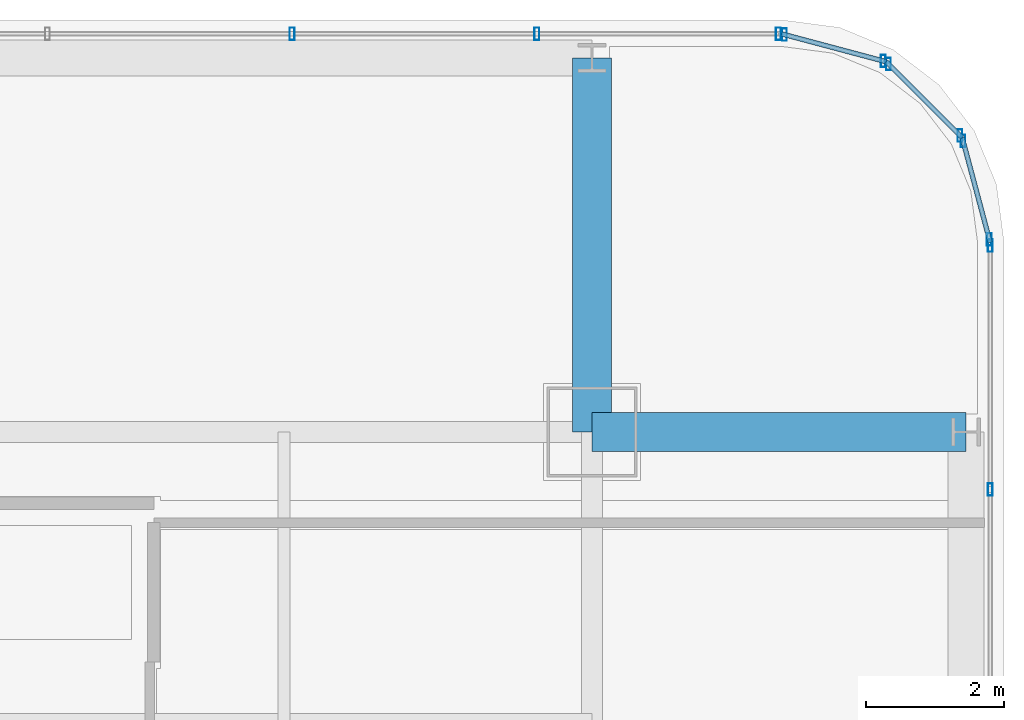
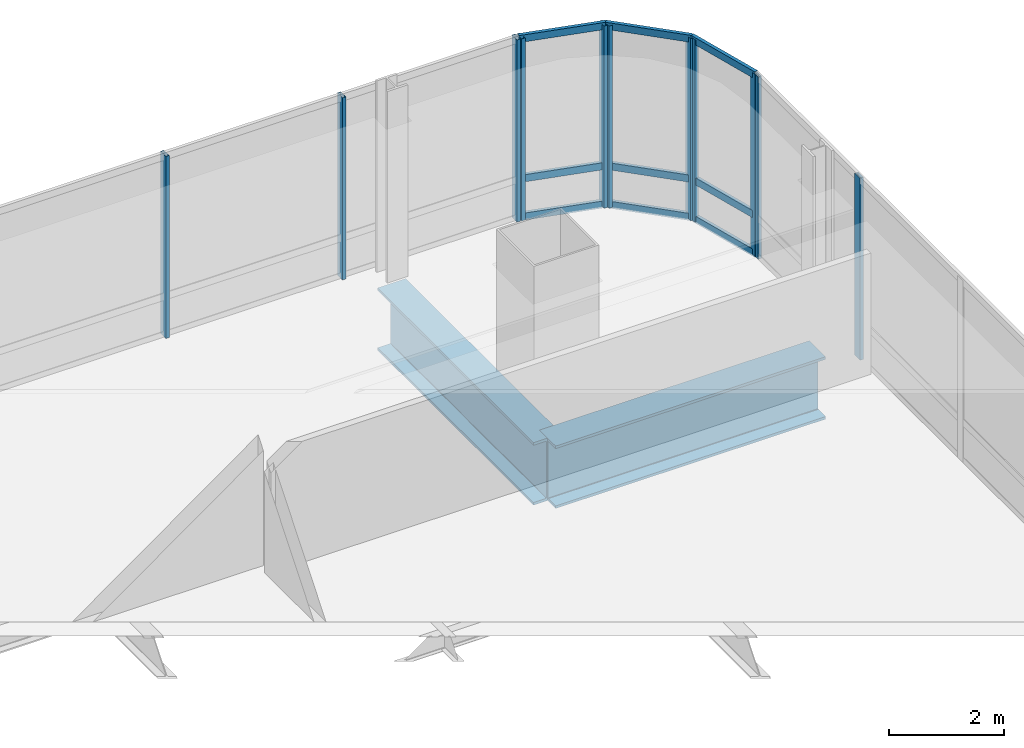
# One storey, part 30 of 42: 20 members, 2 beams, 5 elements without a shape of their own.
"""IFC4 building model written with IfcOpenShell, lengths in metres."""

from ifc_helpers import new_model, si_unit, direction, frame, origin, origin_2d, place, context, subcontext, project, spatial, hollow_rectangle, i_section, extrude, material, material_profile, profile_set, type_object, element, aggregate, save


model = new_model("IFC4")

# Units and contexts
model_context = context("Model", 3, precision=1e-05, world=origin(), true_north=direction((0.0, 1.0)))
body_context = subcontext(model_context, "Body", "Model", "MODEL_VIEW")
ifc_project = project(units=[si_unit("LENGTHUNIT", "METRE"), si_unit("AREAUNIT", "SQUARE_METRE"), si_unit("VOLUMEUNIT", "CUBIC_METRE"), si_unit("PLANEANGLEUNIT", "RADIAN"), si_unit("MASSUNIT", "GRAM", prefix="KILO")], contexts=[model_context])

# Site, building, storey
site_placement = place(None, origin())
site = spatial("IfcSite", under=ifc_project, at=site_placement, CompositionType="ELEMENT")
building_placement = place(site_placement, origin())
building = spatial("IfcBuilding", under=site, at=building_placement, Name="Punatoya Terracotta Tower", CompositionType="ELEMENT")
storey_placement = place(building_placement, frame((0.0, 0.0, 259.5)))
storey = spatial("IfcBuildingStorey", under=building, at=storey_placement, Name="L61", CompositionType="ELEMENT", Elevation=259.5)

# Beams
ifc_material_1 = material(Name="Steel S460", Category="steel")
ifc_material_profile_1 = material_profile(ifc_material_1, i_section(OverallWidth=0.56005859375, OverallDepth=1.320068359375, WebThickness=0.035888671875, FlangeThickness=0.054931640625, FilletRadius=0.01806640625, at=origin_2d()))
ifc_profile_set_1 = profile_set([ifc_material_profile_1], Name="Steel S460")
beam_type = type_object("IfcBeamType", Name="BM-TG-BLK", PredefinedType="BEAM", material=ifc_profile_set_1)
for number, where, z_axis, x_axis, name in (
    (1, (19.10009765625, 17.5, -0.860107421875), (1.0, 0.0, 0.0), (0.0, 1.0, 0.0), "BM-L61-CANT-E4"),
    (2, (19.10009765625, 17.5, -0.860107421875), (0.0, 1.0, 0.0), (-1.0, 0.0, 0.0), "BM-L61-CANT-N4"),
):
    element("IfcBeam", number, at=place(storey_placement, frame(where, z_axis=z_axis, x_axis=x_axis)), inside=storey, type_object=beam_type, Name=name, PredefinedType="BEAM", context=body_context, shape_type="SweptSolid", body=[
        extrude(i_section(OverallWidth=0.56005859375, OverallDepth=1.320068359375, WebThickness=0.035888671875, FlangeThickness=0.054931640625, FilletRadius=0.01806640625, at=origin_2d()), origin(), (0.0, 0.0, 1.0), 5.39990234375),
    ])

# Curtain wall, members
ifc_material_2 = material(Name="Aluminium 6063-T6 + Double Low-E Glass", Category="aluminium")
curtain_wall_type = type_object("IfcCurtainWallType", Name="CW-M3", PredefinedType="NOTDEFINED", material=ifc_material_2)
curtain_wall_1_placement = place(storey_placement, origin())
curtain_wall_1 = element("IfcCurtainWall", 3, at=curtain_wall_1_placement, inside=storey, type_object=curtain_wall_type, Name="L61 Curtain Wall CW-L61-E05-1", PredefinedType="NOTDEFINED")
ifc_material_3 = material(Name="Aluminium 6063-T6", Category="aluminium")
ifc_material_profile_2 = material_profile(ifc_material_3, hollow_rectangle(XDim=0.070068359375, YDim=0.179931640625, WallThickness=0.00390625, at=origin_2d()))
ifc_profile_set_2 = profile_set([ifc_material_profile_2], Name="Aluminium 6063-T6")
member_type_1 = type_object("IfcMemberType", Name="CW-MUL-M3", PredefinedType="MULLION", material=ifc_profile_set_2)
member_1_placement = place(storey_placement, frame((24.85009765625, 16.66943359375, 0.0), z_axis=(0.0, 0.0, 1.0), x_axis=(1.0, 0.0, 0.0)))
member_1 = element("IfcMember", 4, at=member_1_placement, type_object=member_type_1, Name="CW-L61-E05-1 Mullion 09", PredefinedType="MULLION", context=body_context, shape_type="SweptSolid", body=[
    extrude(hollow_rectangle(XDim=0.070068359375, YDim=0.179931640625, WallThickness=0.00390625, at=origin_2d()), origin(), (0.0, 0.0, 1.0), 3.85009765625),
])
member_2_placement = place(storey_placement, frame((24.85009765625, 20.19189453125, 0.0), z_axis=(0.0, 0.0, 1.0), x_axis=(1.0, 0.0, 0.0)))
member_2 = element("IfcMember", 5, at=member_2_placement, type_object=member_type_1, Name="CW-L61-E05-1 Mullion 10", PredefinedType="MULLION", context=body_context, shape_type="SweptSolid", body=[
    extrude(hollow_rectangle(XDim=0.070068359375, YDim=0.179931640625, WallThickness=0.00390625, at=origin_2d()), origin(), (0.0, 0.0, 1.0), 3.85009765625),
])
aggregate(curtain_wall_1, [member_1, member_2])

curtain_wall_2_placement = place(storey_placement, origin())
curtain_wall_2 = element("IfcCurtainWall", 6, at=curtain_wall_2_placement, inside=storey, type_object=curtain_wall_type, Name="L61 Curtain Wall CW-L61-CRN06", PredefinedType="NOTDEFINED")
member_3_placement = place(storey_placement, frame((24.83837890625, 20.280517578125, 0.0), z_axis=(0.0, 0.0, 1.0), x_axis=(1.0, 0.0, 0.0)))
member_3 = element("IfcMember", 7, at=member_3_placement, type_object=member_type_1, Name="CW-L61-CRN06 Mullion 00", PredefinedType="MULLION", context=body_context, shape_type="SweptSolid", body=[
    extrude(hollow_rectangle(XDim=0.070068359375, YDim=0.179931640625, WallThickness=0.00390625, at=origin_2d()), origin(), (0.0, 0.0, 1.0), 3.85009765625),
])
member_4_placement = place(storey_placement, frame((24.458251953125, 21.70556640625, 0.0), z_axis=(0.0, 0.0, 1.0), x_axis=(1.0, 0.0, 0.0)))
member_4 = element("IfcMember", 8, at=member_4_placement, type_object=member_type_1, Name="CW-L61-CRN06 Mullion 01", PredefinedType="MULLION", context=body_context, shape_type="SweptSolid", body=[
    extrude(hollow_rectangle(XDim=0.070068359375, YDim=0.179931640625, WallThickness=0.00390625, at=origin_2d()), origin(), (0.0, 0.0, 1.0), 3.85009765625),
])

curtain_wall_3_placement = place(storey_placement, origin())
curtain_wall_3 = element("IfcCurtainWall", 9, at=curtain_wall_3_placement, inside=storey, type_object=curtain_wall_type, Name="L61 Curtain Wall CW-L61-CRN07", PredefinedType="NOTDEFINED")
member_5_placement = place(storey_placement, frame((24.414794921875, 21.781005859375, 0.0), z_axis=(0.0, 0.0, 1.0), x_axis=(1.0, 0.0, 0.0)))
member_5 = element("IfcMember", 10, at=member_5_placement, type_object=member_type_1, Name="CW-L61-CRN07 Mullion 00", PredefinedType="MULLION", context=body_context, shape_type="SweptSolid", body=[
    extrude(hollow_rectangle(XDim=0.070068359375, YDim=0.179931640625, WallThickness=0.00390625, at=origin_2d()), origin(), (0.0, 0.0, 1.0), 3.85009765625),
])
member_6_placement = place(storey_placement, frame((23.380859375, 22.814697265625, 0.0), z_axis=(0.0, 0.0, 1.0), x_axis=(1.0, 0.0, 0.0)))
member_6 = element("IfcMember", 11, at=member_6_placement, type_object=member_type_1, Name="CW-L61-CRN07 Mullion 01", PredefinedType="MULLION", context=body_context, shape_type="SweptSolid", body=[
    extrude(hollow_rectangle(XDim=0.070068359375, YDim=0.179931640625, WallThickness=0.00390625, at=origin_2d()), origin(), (0.0, 0.0, 1.0), 3.85009765625),
])

curtain_wall_4_placement = place(storey_placement, origin())
curtain_wall_4 = element("IfcCurtainWall", 12, at=curtain_wall_4_placement, inside=storey, type_object=curtain_wall_type, Name="L61 Curtain Wall CW-L61-CRN08", PredefinedType="NOTDEFINED")
member_7_placement = place(storey_placement, frame((23.3056640625, 22.858154296875, 0.0), z_axis=(0.0, 0.0, 1.0), x_axis=(1.0, 0.0, 0.0)))
member_7 = element("IfcMember", 13, at=member_7_placement, type_object=member_type_1, Name="CW-L61-CRN08 Mullion 00", PredefinedType="MULLION", context=body_context, shape_type="SweptSolid", body=[
    extrude(hollow_rectangle(XDim=0.070068359375, YDim=0.179931640625, WallThickness=0.00390625, at=origin_2d()), origin(), (0.0, 0.0, 1.0), 3.85009765625),
])
member_8_placement = place(storey_placement, frame((21.88037109375, 23.23828125, 0.0), z_axis=(0.0, 0.0, 1.0), x_axis=(1.0, 0.0, 0.0)))
member_8 = element("IfcMember", 14, at=member_8_placement, type_object=member_type_1, Name="CW-L61-CRN08 Mullion 01", PredefinedType="MULLION", context=body_context, shape_type="SweptSolid", body=[
    extrude(hollow_rectangle(XDim=0.070068359375, YDim=0.179931640625, WallThickness=0.00390625, at=origin_2d()), origin(), (0.0, 0.0, 1.0), 3.85009765625),
])

curtain_wall_5_placement = place(storey_placement, origin())
curtain_wall_5 = element("IfcCurtainWall", 15, at=curtain_wall_5_placement, inside=storey, type_object=curtain_wall_type, Name="L61 Curtain Wall CW-L61-N09-1", PredefinedType="NOTDEFINED")
member_9_placement = place(storey_placement, frame((21.7919921875, 23.25, 0.0), z_axis=(0.0, 0.0, 1.0), x_axis=(1.0, 0.0, 0.0)))
member_9 = element("IfcMember", 16, at=member_9_placement, type_object=member_type_1, Name="CW-L61-N09-1 Mullion 00", PredefinedType="MULLION", context=body_context, shape_type="SweptSolid", body=[
    extrude(hollow_rectangle(XDim=0.070068359375, YDim=0.179931640625, WallThickness=0.00390625, at=origin_2d()), origin(), (0.0, 0.0, 1.0), 3.85009765625),
])
member_10_placement = place(storey_placement, frame((18.302978515625, 23.25, 0.0), z_axis=(0.0, 0.0, 1.0), x_axis=(1.0, 0.0, 0.0)))
member_10 = element("IfcMember", 17, at=member_10_placement, type_object=member_type_1, Name="CW-L61-N09-1 Mullion 01", PredefinedType="MULLION", context=body_context, shape_type="SweptSolid", body=[
    extrude(hollow_rectangle(XDim=0.070068359375, YDim=0.179931640625, WallThickness=0.00390625, at=origin_2d()), origin(), (0.0, 0.0, 1.0), 3.85009765625),
])
member_11_placement = place(storey_placement, frame((14.768798828125, 23.25, 0.0), z_axis=(0.0, 0.0, 1.0), x_axis=(1.0, 0.0, 0.0)))
member_11 = element("IfcMember", 18, at=member_11_placement, type_object=member_type_1, Name="CW-L61-N09-1 Mullion 02", PredefinedType="MULLION", context=body_context, shape_type="SweptSolid", body=[
    extrude(hollow_rectangle(XDim=0.070068359375, YDim=0.179931640625, WallThickness=0.00390625, at=origin_2d()), origin(), (0.0, 0.0, 1.0), 3.85009765625),
])
aggregate(curtain_wall_5, [member_9, member_10, member_11])

# Member
ifc_material_profile_3 = material_profile(ifc_material_3, hollow_rectangle(XDim=0.068115234375, YDim=0.14990234375, WallThickness=0.00390625, at=origin_2d()))
ifc_profile_set_3 = profile_set([ifc_material_profile_3], Name="Aluminium 6063-T6")
member_type_2 = type_object("IfcMemberType", Name="CW-TRN-TYP", PredefinedType="USERDEFINED", material=ifc_profile_set_3)
member_12_placement = place(storey_placement, frame((24.85009765625, 20.23681640625, 0.0400390625), z_axis=(-0.257847112249, 0.966185730957, 0.0), x_axis=(-0.966185730957, -0.257847112249, 0.0)))
member_12 = element("IfcMember", 19, at=member_12_placement, type_object=member_type_2, Name="CW-L61-CRN06 Transom 1", ObjectType="TRANSOM", PredefinedType="USERDEFINED", context=body_context, shape_type="SweptSolid", body=[
    extrude(hollow_rectangle(XDim=0.068115234375, YDim=0.14990234375, WallThickness=0.00390625, at=origin_2d()), origin(), (0.0, 0.0, 1.0), 1.565185546875),
])

member_13_placement = place(storey_placement, frame((24.85009765625, 20.23681640625, 0.85009765625), z_axis=(-0.257847112249, 0.966185730957, 0.0), x_axis=(-0.966185730957, -0.257847112249, 0.0)))
member_13 = element("IfcMember", 20, at=member_13_placement, type_object=member_type_2, Name="CW-L61-CRN06 Transom 2", ObjectType="TRANSOM", PredefinedType="USERDEFINED", context=body_context, shape_type="SweptSolid", body=[
    extrude(hollow_rectangle(XDim=0.068115234375, YDim=0.14990234375, WallThickness=0.00390625, at=origin_2d()), origin(), (0.0, 0.0, 1.0), 1.565185546875),
])

member_14_placement = place(storey_placement, frame((24.85009765625, 20.23681640625, 3.81005859375), z_axis=(-0.257847112249, 0.966185730957, 0.0), x_axis=(-0.966185730957, -0.257847112249, 0.0)))
member_14 = element("IfcMember", 21, at=member_14_placement, type_object=member_type_2, Name="CW-L61-CRN06 Transom 3", ObjectType="TRANSOM", PredefinedType="USERDEFINED", context=body_context, shape_type="SweptSolid", body=[
    extrude(hollow_rectangle(XDim=0.068115234375, YDim=0.14990234375, WallThickness=0.00390625, at=origin_2d()), origin(), (0.0, 0.0, 1.0), 1.565185546875),
])

aggregate(curtain_wall_2, [member_3, member_4, member_12, member_13, member_14])

member_15_placement = place(storey_placement, frame((24.446533203125, 21.7490234375, 0.0400390625), z_axis=(-0.707028130747, 0.707185422879, 0.0), x_axis=(-0.707185422879, -0.707028130747, 0.0)))
member_15 = element("IfcMember", 22, at=member_15_placement, type_object=member_type_2, Name="CW-L61-CRN07 Transom 1", ObjectType="TRANSOM", PredefinedType="USERDEFINED", context=body_context, shape_type="SweptSolid", body=[
    extrude(hollow_rectangle(XDim=0.068115234375, YDim=0.14990234375, WallThickness=0.00390625, at=origin_2d()), origin(), (0.0, 0.0, 1.0), 1.55224609375),
])

member_16_placement = place(storey_placement, frame((24.446533203125, 21.7490234375, 0.85009765625), z_axis=(-0.707028130747, 0.707185422879, 0.0), x_axis=(-0.707185422879, -0.707028130747, 0.0)))
member_16 = element("IfcMember", 23, at=member_16_placement, type_object=member_type_2, Name="CW-L61-CRN07 Transom 2", ObjectType="TRANSOM", PredefinedType="USERDEFINED", context=body_context, shape_type="SweptSolid", body=[
    extrude(hollow_rectangle(XDim=0.068115234375, YDim=0.14990234375, WallThickness=0.00390625, at=origin_2d()), origin(), (0.0, 0.0, 1.0), 1.55224609375),
])

member_17_placement = place(storey_placement, frame((24.446533203125, 21.7490234375, 3.81005859375), z_axis=(-0.707028130747, 0.707185422879, 0.0), x_axis=(-0.707185422879, -0.707028130747, 0.0)))
member_17 = element("IfcMember", 24, at=member_17_placement, type_object=member_type_2, Name="CW-L61-CRN07 Transom 3", ObjectType="TRANSOM", PredefinedType="USERDEFINED", context=body_context, shape_type="SweptSolid", body=[
    extrude(hollow_rectangle(XDim=0.068115234375, YDim=0.14990234375, WallThickness=0.00390625, at=origin_2d()), origin(), (0.0, 0.0, 1.0), 1.55224609375),
])

aggregate(curtain_wall_3, [member_5, member_6, member_15, member_16, member_17])

member_18_placement = place(storey_placement, frame((23.34912109375, 22.8466796875, 0.0400390625), z_axis=(-0.966224582397, 0.257701486942, 0.0), x_axis=(-0.257701486942, -0.966224582397, 0.0)))
member_18 = element("IfcMember", 25, at=member_18_placement, type_object=member_type_2, Name="CW-L61-CRN08 Transom 1", ObjectType="TRANSOM", PredefinedType="USERDEFINED", context=body_context, shape_type="SweptSolid", body=[
    extrude(hollow_rectangle(XDim=0.068115234375, YDim=0.14990234375, WallThickness=0.00390625, at=origin_2d()), origin(), (0.0, 0.0, 1.0), 1.565185546875),
])

member_19_placement = place(storey_placement, frame((23.34912109375, 22.8466796875, 0.85009765625), z_axis=(-0.966224582397, 0.257701486942, 0.0), x_axis=(-0.257701486942, -0.966224582397, 0.0)))
member_19 = element("IfcMember", 26, at=member_19_placement, type_object=member_type_2, Name="CW-L61-CRN08 Transom 2", ObjectType="TRANSOM", PredefinedType="USERDEFINED", context=body_context, shape_type="SweptSolid", body=[
    extrude(hollow_rectangle(XDim=0.068115234375, YDim=0.14990234375, WallThickness=0.00390625, at=origin_2d()), origin(), (0.0, 0.0, 1.0), 1.565185546875),
])

member_20_placement = place(storey_placement, frame((23.34912109375, 22.8466796875, 3.81005859375), z_axis=(-0.966224582397, 0.257701486942, 0.0), x_axis=(-0.257701486942, -0.966224582397, 0.0)))
member_20 = element("IfcMember", 27, at=member_20_placement, type_object=member_type_2, Name="CW-L61-CRN08 Transom 3", ObjectType="TRANSOM", PredefinedType="USERDEFINED", context=body_context, shape_type="SweptSolid", body=[
    extrude(hollow_rectangle(XDim=0.068115234375, YDim=0.14990234375, WallThickness=0.00390625, at=origin_2d()), origin(), (0.0, 0.0, 1.0), 1.565185546875),
])

aggregate(curtain_wall_4, [member_7, member_8, member_18, member_19, member_20])

save(model, "model.ifc")
